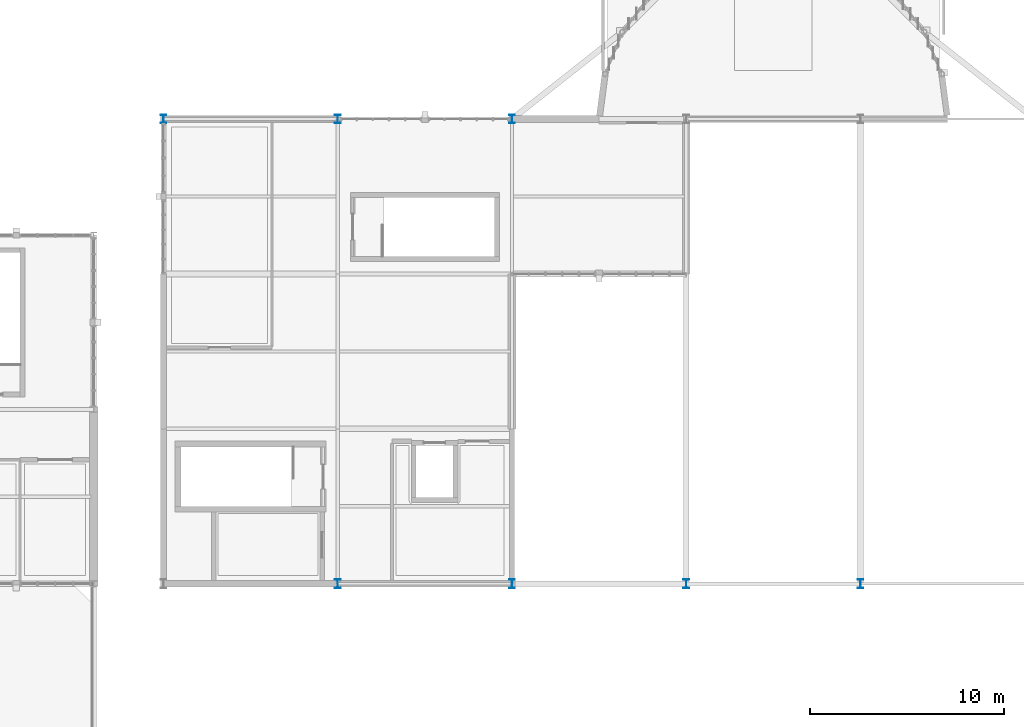
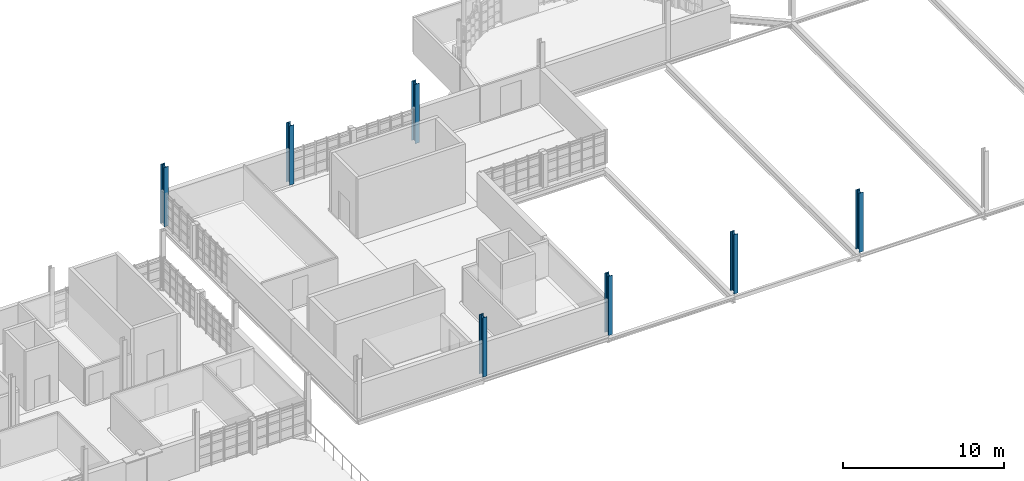
# One storey, part 2 of 44: 7 columns.
"""IFC4 building model written with IfcOpenShell, lengths in metres."""

from ifc_helpers import new_model, si_unit, direction, frame, origin, origin_2d, place, context, subcontext, project, spatial, i_section, extrude, material, material_profile, profile_set, type_object, element, save


model = new_model("IFC4")

# Units and contexts
model_context = context("Model", 3, precision=1e-05, world=origin(), true_north=direction((0.0, 1.0)))
body_context = subcontext(model_context, "Body", "Model", "MODEL_VIEW")
ifc_project = project(units=[si_unit("LENGTHUNIT", "METRE"), si_unit("AREAUNIT", "SQUARE_METRE"), si_unit("VOLUMEUNIT", "CUBIC_METRE"), si_unit("PLANEANGLEUNIT", "RADIAN"), si_unit("MASSUNIT", "GRAM", prefix="KILO")], contexts=[model_context])

# Site, building, storey
site_placement = place(None, origin())
site = spatial("IfcSite", under=ifc_project, at=site_placement, CompositionType="ELEMENT")
building_placement = place(site_placement, origin())
building = spatial("IfcBuilding", under=site, at=building_placement, Name="Serraforn Aerial Cableway Station", CompositionType="ELEMENT")
storey_placement = place(building_placement, frame((0.0, 0.0, 13.800048828125)))
storey = spatial("IfcBuildingStorey", under=building, at=storey_placement, Name="L03", CompositionType="ELEMENT", Elevation=13.800048828125)

# Columns
ifc_material = material(Name="Steel S355J2", Category="steel")
ifc_material_profile = material_profile(ifc_material, i_section(OverallWidth=0.300048828125, OverallDepth=0.449951171875, WebThickness=0.013916015625, FlangeThickness=0.02587890625, FilletRadius=0.027099609375, at=origin_2d()), Name="HEB 450")
ifc_profile_set = profile_set([ifc_material_profile], Name="Steel S355J2")
column_type = type_object("IfcColumnType", Name="COL-ST-HEB450", PredefinedType="COLUMN", material=ifc_profile_set)
for number, where, z_axis, x_axis, name in (
    (1, (27.60009765625, 42.0, 0.0), (0.0, 0.0, 1.0), (1.0, 0.0, 0.0), "Column CV L03 5-F"),
    (2, (36.60009765625, 18.0, 0.0), (0.0, 0.0, 1.0), (1.0, 0.0, 0.0), "Column CV L03 6-C"),
    (3, (36.60009765625, 42.0, 0.0), (0.0, 0.0, 1.0), (1.0, 0.0, 0.0), "Column CV L03 6-F"),
    (4, (45.60009765625, 18.0, 0.0), (0.0, 0.0, 1.0), (1.0, 0.0, 0.0), "Column CV L03 7-C"),
    (5, (45.60009765625, 42.0, 0.0), (0.0, 0.0, 1.0), (1.0, 0.0, 0.0), "Column CV L03 7-F"),
    (6, (54.60009765625, 18.0, 0.0), (0.0, 0.0, 1.0), (1.0, 0.0, 0.0), "Column CV L03 8-C"),
    (7, (63.60009765625, 18.0, 0.0), (0.0, 0.0, 1.0), (1.0, 0.0, 0.0), "Column CV L03 9-C"),
):
    element("IfcColumn", number, at=place(storey_placement, frame(where, z_axis=z_axis, x_axis=x_axis)), inside=storey, type_object=column_type, Name=name, PredefinedType="COLUMN", context=body_context, shape_type="SweptSolid", body=[
        extrude(i_section(OverallWidth=0.300048828125, OverallDepth=0.449951171875, WebThickness=0.013916015625, FlangeThickness=0.02587890625, FilletRadius=0.027099609375, at=origin_2d()), origin(), (0.0, 0.0, 1.0), 4.5),
    ])

save(model, "model.ifc")
